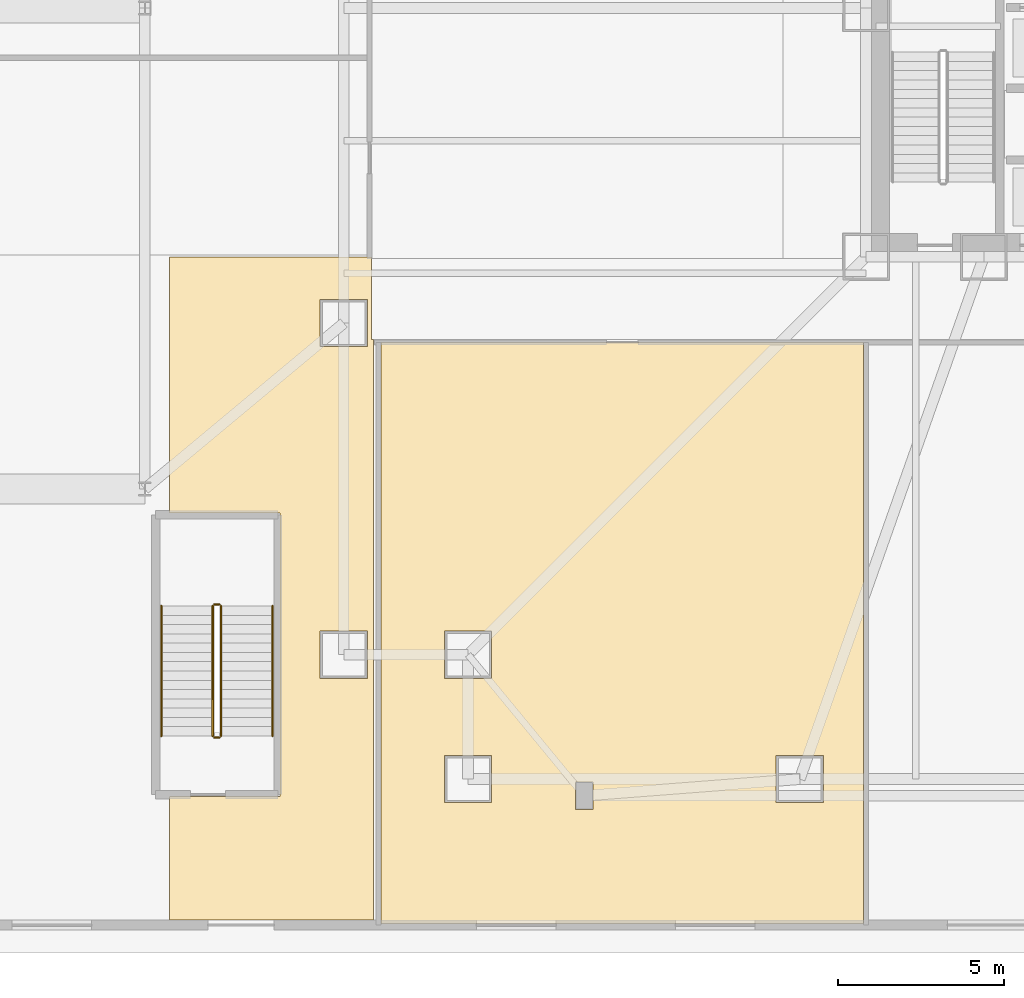
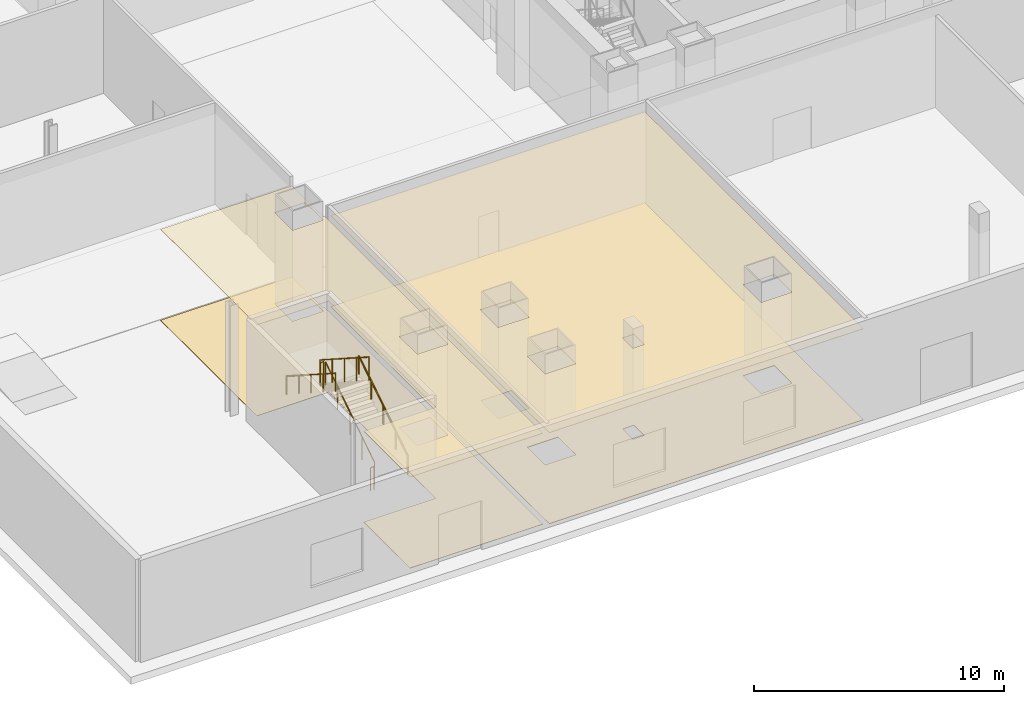
# One storey, part 13 of 24: 6 railings, 4 coverings.
"""IFC4 building model written with IfcOpenShell, lengths in metres."""

from ifc_helpers import new_model, si_unit, direction, frame, origin, origin_2d, place, context, subcontext, project, spatial, polyline, circle, outline, extrude, material, layer, layer_set, type_object, element, save


model = new_model("IFC4")

# Units and contexts
model_context = context("Model", 3, precision=1e-05, world=origin(), true_north=direction((0.0, 1.0)))
body_context = subcontext(model_context, "Body", "Model", "MODEL_VIEW")
ifc_project = project(units=[si_unit("LENGTHUNIT", "METRE"), si_unit("AREAUNIT", "SQUARE_METRE"), si_unit("VOLUMEUNIT", "CUBIC_METRE"), si_unit("PLANEANGLEUNIT", "RADIAN"), si_unit("MASSUNIT", "GRAM", prefix="KILO")], contexts=[model_context])

# Site, building, storey
site_placement = place(None, origin())
site = spatial("IfcSite", under=ifc_project, at=site_placement, CompositionType="ELEMENT")
building_placement = place(site_placement, origin())
building = spatial("IfcBuilding", under=site, at=building_placement, Name="Trevonay Congress Spire", CompositionType="ELEMENT")
storey_placement = place(building_placement, origin())
storey = spatial("IfcBuildingStorey", under=building, at=storey_placement, Name="L00", CompositionType="ELEMENT", Elevation=0.0)

# Coverings
ifc_material_1 = material(Name="Acoustic Mineral Fibre Board", Category="gypsum")
ifc_layer_1 = layer(ifc_material_1, 0.02490234375, Name="Acoustic Mineral Fibre Board")
ifc_layer_set_1 = layer_set([ifc_layer_1], Name="Acoustic Mineral Fibre Board")
covering_type_1 = type_object("IfcCoveringType", Name="COV-CEIL-ACOUSTIC", PredefinedType="CEILING", material=ifc_layer_set_1)
covering_1_placement = place(storey_placement, frame((0.0, 0.0, 4.449951171875)))
element("IfcCovering", 1, at=covering_1_placement, inside=storey, type_object=covering_type_1, Name="L00 Main Entrance Lobby acoustic suspended ceiling", PredefinedType="CEILING", context=body_context, shape_type="SweptSolid", body=[
    extrude(outline(polyline([(-22.1201171875, -10.080078125), (-7.580078125, -10.080078125), (-7.580078125, -27.60009765625), (-22.1201171875, -27.60009765625), (-22.1201171875, -10.080078125)]), holes=[polyline([(-16.260009765625, -23.340087890625), (-16.260009765625, -24.159912109375), (-15.739990234375, -24.159912109375), (-15.739990234375, -23.340087890625), (-16.260009765625, -23.340087890625)]), polyline([(-20.2099609375, -22.5400390625), (-20.2099609375, -23.9599609375), (-18.7900390625, -23.9599609375), (-18.7900390625, -22.5400390625), (-20.2099609375, -22.5400390625)]), polyline([(-10.2099609375, -22.5400390625), (-10.2099609375, -23.9599609375), (-8.7900390625, -23.9599609375), (-8.7900390625, -22.5400390625), (-10.2099609375, -22.5400390625)]), polyline([(-20.2099609375, -18.7900390625), (-20.2099609375, -20.2099609375), (-18.7900390625, -20.2099609375), (-18.7900390625, -18.7900390625), (-20.2099609375, -18.7900390625)])]), origin(), (0.0, 0.0, 1.0), 0.025146484375),
])
covering_2_placement = place(storey_placement, frame((0.0, 0.0, 4.449951171875)))
element("IfcCovering", 2, at=covering_2_placement, inside=storey, type_object=covering_type_1, Name="L00 Protected Exit Passage SW acoustic suspended ceiling", PredefinedType="CEILING", context=body_context, shape_type="SweptSolid", body=[
    extrude(outline(polyline([(-28.5, -15.219970703125), (-28.5, -7.5), (-22.419921875, -7.5), (-22.419921875, -7.550048828125), (-22.419921875, -10.0), (-22.35009765625, -10.0), (-22.35009765625, -27.5), (-28.5, -27.5), (-28.5, -23.780029296875), (-25.169921875, -23.780029296875), (-25.169921875, -15.219970703125), (-28.5, -15.219970703125)]), holes=[polyline([(-22.5400390625, -20.2099609375), (-22.5400390625, -18.7900390625), (-23.9599609375, -18.7900390625), (-23.9599609375, -20.2099609375), (-22.5400390625, -20.2099609375)]), polyline([(-22.5400390625, -10.2099609375), (-22.5400390625, -8.7900390625), (-23.9599609375, -8.7900390625), (-23.9599609375, -10.2099609375), (-22.5400390625, -10.2099609375)])]), origin(), (0.0, 0.0, 1.0), 0.025146484375),
])
ifc_material_2 = material(Name="Polished Granite Floor Tile", Category="masonry")
ifc_layer_2 = layer(ifc_material_2, 0.02001953125, Name="Polished Granite Floor Tile")
ifc_layer_set_2 = layer_set([ifc_layer_2], Name="Polished Granite Floor Tile")
covering_type_2 = type_object("IfcCoveringType", Name="COV-FLOOR-STONE", PredefinedType="FLOORING", material=ifc_layer_set_2)
covering_3_placement = place(storey_placement, origin())
element("IfcCovering", 3, at=covering_3_placement, inside=storey, type_object=covering_type_2, Name="L00 Main Entrance Lobby floor finish", PredefinedType="FLOORING", context=body_context, shape_type="SweptSolid", body=[
    extrude(outline(polyline([(-22.1201171875, -10.080078125), (-7.580078125, -10.080078125), (-7.580078125, -27.60009765625), (-22.1201171875, -27.60009765625), (-22.1201171875, -10.080078125)]), holes=[polyline([(-16.260009765625, -23.340087890625), (-16.260009765625, -24.159912109375), (-15.739990234375, -24.159912109375), (-15.739990234375, -23.340087890625), (-16.260009765625, -23.340087890625)]), polyline([(-20.2099609375, -22.5400390625), (-20.2099609375, -23.9599609375), (-18.7900390625, -23.9599609375), (-18.7900390625, -22.5400390625), (-20.2099609375, -22.5400390625)]), polyline([(-10.2099609375, -22.5400390625), (-10.2099609375, -23.9599609375), (-8.7900390625, -23.9599609375), (-8.7900390625, -22.5400390625), (-10.2099609375, -22.5400390625)]), polyline([(-20.2099609375, -18.7900390625), (-20.2099609375, -20.2099609375), (-18.7900390625, -20.2099609375), (-18.7900390625, -18.7900390625), (-20.2099609375, -18.7900390625)])]), origin(), (0.0, 0.0, 1.0), 0.02001953125),
])
covering_4_placement = place(storey_placement, origin())
element("IfcCovering", 4, at=covering_4_placement, inside=storey, type_object=covering_type_2, Name="L00 Protected Exit Passage SW floor finish", PredefinedType="FLOORING", context=body_context, shape_type="SweptSolid", body=[
    extrude(outline(polyline([(-28.5, -15.219970703125), (-28.5, -7.5), (-22.419921875, -7.5), (-22.419921875, -7.550048828125), (-22.419921875, -10.0), (-22.35009765625, -10.0), (-22.35009765625, -27.5), (-28.5, -27.5), (-28.5, -23.780029296875), (-25.169921875, -23.780029296875), (-25.169921875, -15.219970703125), (-28.5, -15.219970703125)]), holes=[polyline([(-22.5400390625, -20.2099609375), (-22.5400390625, -18.7900390625), (-23.9599609375, -18.7900390625), (-23.9599609375, -20.2099609375), (-22.5400390625, -20.2099609375)]), polyline([(-22.5400390625, -10.2099609375), (-22.5400390625, -8.7900390625), (-23.9599609375, -8.7900390625), (-23.9599609375, -10.2099609375), (-22.5400390625, -10.2099609375)])]), origin(), (0.0, 0.0, 1.0), 0.02001953125),
])

# Railings
ifc_material_3 = material(Name="Pale Anodised Aluminium EN AW-6063-T6", Category="aluminium")
railing_type_1 = type_object("IfcRailingType", Name="RAL-STAIR-GUARD-110", PredefinedType="GUARDRAIL", material=ifc_material_3)
railing_1_placement = place(storey_placement, frame((-26.949951171875, -21.949951171875, 0.179931640625)))
element("IfcRailing", 5, at=railing_1_placement, inside=storey, type_object=railing_type_1, Name="L00 ST-3 stair guard 1", PredefinedType="GUARDRAIL", context=body_context, shape_type="SweptSolid", body=[
    extrude(circle(Radius=0.02392578125, at=origin_2d()), frame((0.0, 0.0, 1.1259765625), z_axis=(0.0, 0.841171666519, 0.540768182723), x_axis=(-1.0, 0.0, 0.0)), (0.0, 0.0, 1.0), 4.66015625),
    extrude(circle(Radius=0.02099609375, at=origin_2d()), origin(), (0.0, 0.0, 1.0), 1.101806640625),
    extrude(circle(Radius=0.02099609375, at=origin_2d()), frame((0.0, 0.97998046875, 0.6298828125)), (0.0, 0.0, 1.0), 1.101806640625),
    extrude(circle(Radius=0.02099609375, at=origin_2d()), frame((0.0, 1.9599609375, 1.260009765625)), (0.0, 0.0, 1.0), 1.101806640625),
    extrude(circle(Radius=0.02099609375, at=origin_2d()), frame((0.0, 2.93994140625, 1.89013671875)), (0.0, 0.0, 1.0), 1.101806640625),
    extrude(circle(Radius=0.02099609375, at=origin_2d()), frame((0.0, 3.919921875, 2.52001953125)), (0.0, 0.0, 1.0), 1.101806640625),
])
railing_2_placement = place(storey_placement, frame((-27.0, -17.97998046875, 2.699951171875)))
element("IfcRailing", 6, at=railing_2_placement, inside=storey, type_object=railing_type_1, Name="L00 ST-3 stair guard 2", PredefinedType="GUARDRAIL", context=body_context, shape_type="SweptSolid", body=[
    extrude(circle(Radius=0.02392578125, at=origin_2d()), frame((0.0, 0.0, 1.1259765625), z_axis=(-1.0, 0.0, 0.0), x_axis=(0.0, -1.0, 0.0)), (0.0, 0.0, 1.0), 0.14990234375),
    extrude(circle(Radius=0.02099609375, at=origin_2d()), origin(), (0.0, 0.0, 1.0), 1.101806640625),
    extrude(circle(Radius=0.02099609375, at=origin_2d()), frame((-0.14990234375, 0.0, 0.0)), (0.0, 0.0, 1.0), 1.101806640625),
])
railing_3_placement = place(storey_placement, frame((-27.199951171875, -18.030029296875, 2.8798828125)))
element("IfcRailing", 7, at=railing_3_placement, inside=storey, type_object=railing_type_1, Name="L00 ST-3 stair guard 3", PredefinedType="GUARDRAIL", context=body_context, shape_type="SweptSolid", body=[
    extrude(circle(Radius=0.02392578125, at=origin_2d()), frame((0.0, 0.0, 1.1259765625), z_axis=(0.0, -0.841171666519, 0.540768182723), x_axis=(1.0, 0.0, 0.0)), (0.0, 0.0, 1.0), 4.66015625),
    extrude(circle(Radius=0.02099609375, at=origin_2d()), origin(), (0.0, 0.0, 1.0), 1.101806640625),
    extrude(circle(Radius=0.02099609375, at=origin_2d()), frame((0.0, -0.97998046875, 0.6298828125)), (0.0, 0.0, 1.0), 1.101806640625),
    extrude(circle(Radius=0.02099609375, at=origin_2d()), frame((0.0, -1.9599609375, 1.260009765625)), (0.0, 0.0, 1.0), 1.101806640625),
    extrude(circle(Radius=0.02099609375, at=origin_2d()), frame((0.0, -2.93994140625, 1.89013671875)), (0.0, 0.0, 1.0), 1.101806640625),
    extrude(circle(Radius=0.02099609375, at=origin_2d()), frame((0.0, -3.919921875, 2.52001953125)), (0.0, 0.0, 1.0), 1.101806640625),
])
railing_4_placement = place(storey_placement, frame((-27.0, -22.0, 0.0)))
element("IfcRailing", 8, at=railing_4_placement, inside=storey, type_object=railing_type_1, Name="L00 ST-3 stair guard 4", PredefinedType="GUARDRAIL", context=body_context, shape_type="SweptSolid", body=[
    extrude(circle(Radius=0.02392578125, at=origin_2d()), frame((0.0, 0.0, 1.1259765625), z_axis=(-1.0, 0.0, 0.0), x_axis=(0.0, -1.0, 0.0)), (0.0, 0.0, 1.0), 0.14990234375),
    extrude(circle(Radius=0.02099609375, at=origin_2d()), origin(), (0.0, 0.0, 1.0), 1.101806640625),
    extrude(circle(Radius=0.02099609375, at=origin_2d()), frame((-0.14990234375, 0.0, 0.0)), (0.0, 0.0, 1.0), 1.101806640625),
])
railing_type_2 = type_object("IfcRailingType", Name="RAL-STAIR-HANDRAIL", PredefinedType="HANDRAIL", material=ifc_material_3)
railing_5_placement = place(storey_placement, frame((-25.39990234375, -21.949951171875, 0.179931640625)))
element("IfcRailing", 9, at=railing_5_placement, inside=storey, type_object=railing_type_2, Name="L00 ST-3 stair handrail 1", PredefinedType="HANDRAIL", context=body_context, shape_type="SweptSolid", body=[
    extrude(circle(Radius=0.02392578125, at=origin_2d()), frame((0.0, 0.0, 0.8759765625), z_axis=(0.0, 0.841171666519, 0.540768182723), x_axis=(-1.0, 0.0, 0.0)), (0.0, 0.0, 1.0), 4.66015625),
    extrude(circle(Radius=0.02099609375, at=origin_2d()), origin(), (0.0, 0.0, 1.0), 0.851806640625),
    extrude(circle(Radius=0.02099609375, at=origin_2d()), frame((0.0, 0.97998046875, 0.6298828125)), (0.0, 0.0, 1.0), 0.851806640625),
    extrude(circle(Radius=0.02099609375, at=origin_2d()), frame((0.0, 1.9599609375, 1.260009765625)), (0.0, 0.0, 1.0), 0.851806640625),
    extrude(circle(Radius=0.02099609375, at=origin_2d()), frame((0.0, 2.93994140625, 1.89013671875)), (0.0, 0.0, 1.0), 0.851806640625),
    extrude(circle(Radius=0.02099609375, at=origin_2d()), frame((0.0, 3.919921875, 2.52001953125)), (0.0, 0.0, 1.0), 0.851806640625),
])
railing_6_placement = place(storey_placement, frame((-28.75, -18.030029296875, 2.8798828125)))
element("IfcRailing", 10, at=railing_6_placement, inside=storey, type_object=railing_type_2, Name="L00 ST-3 stair handrail 2", PredefinedType="HANDRAIL", context=body_context, shape_type="SweptSolid", body=[
    extrude(circle(Radius=0.02392578125, at=origin_2d()), frame((0.0, 0.0, 0.8759765625), z_axis=(0.0, -0.841171666519, 0.540768182723), x_axis=(1.0, 0.0, 0.0)), (0.0, 0.0, 1.0), 4.66015625),
    extrude(circle(Radius=0.02099609375, at=origin_2d()), origin(), (0.0, 0.0, 1.0), 0.851806640625),
    extrude(circle(Radius=0.02099609375, at=origin_2d()), frame((0.0, -0.97998046875, 0.6298828125)), (0.0, 0.0, 1.0), 0.851806640625),
    extrude(circle(Radius=0.02099609375, at=origin_2d()), frame((0.0, -1.9599609375, 1.260009765625)), (0.0, 0.0, 1.0), 0.851806640625),
    extrude(circle(Radius=0.02099609375, at=origin_2d()), frame((0.0, -2.93994140625, 1.89013671875)), (0.0, 0.0, 1.0), 0.851806640625),
    extrude(circle(Radius=0.02099609375, at=origin_2d()), frame((0.0, -3.919921875, 2.52001953125)), (0.0, 0.0, 1.0), 0.851806640625),
])

save(model, "model.ifc")
